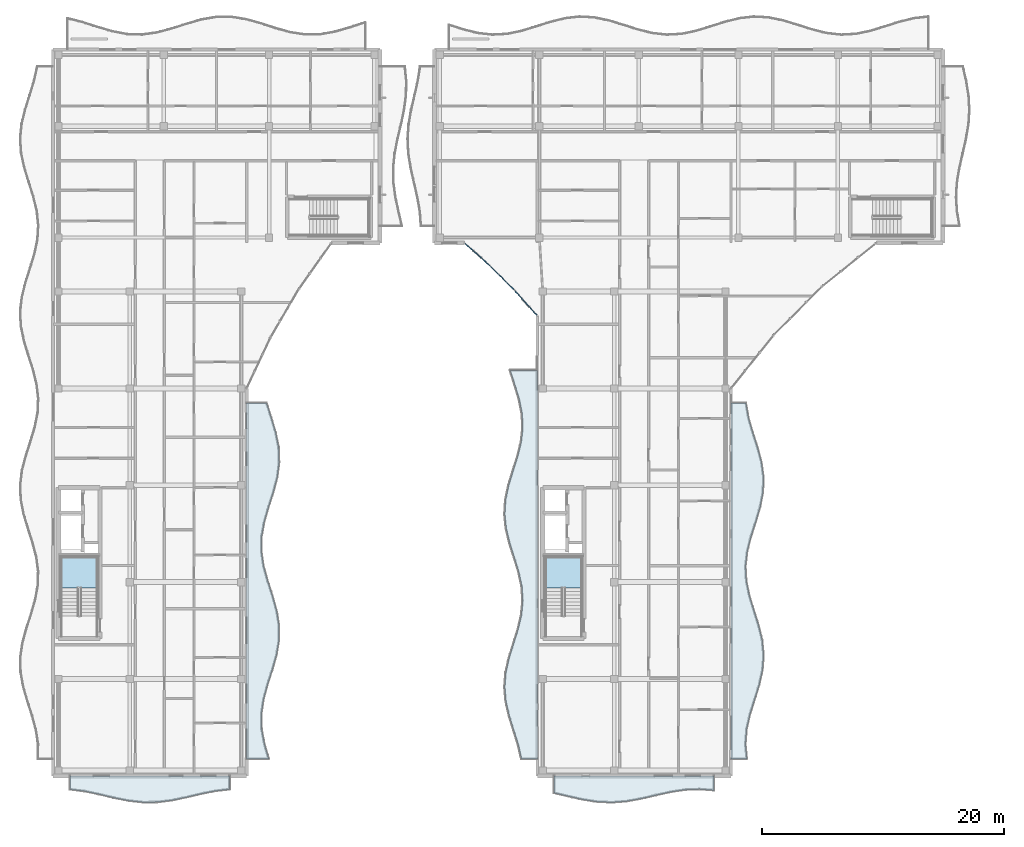
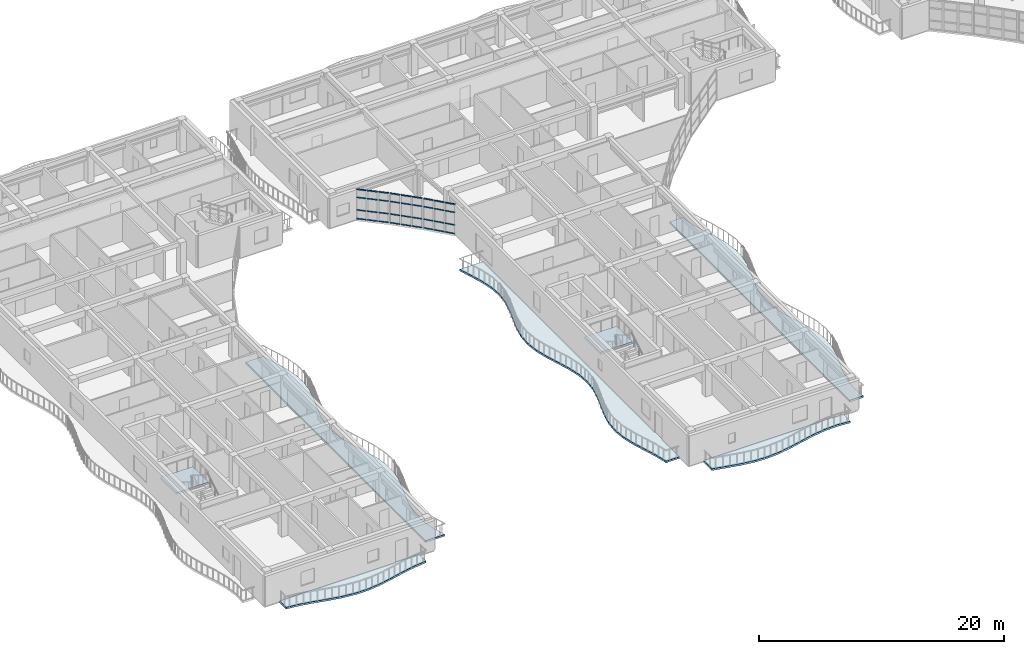
# One storey, part 23 of 76: 36 members, 7 slabs, 5 elements without a shape of their own.
"""IFC4 building model written with IfcOpenShell, lengths in metres."""

from ifc_helpers import new_model, si_unit, direction, frame, origin, origin_2d, place, context, subcontext, project, spatial, polyline, hollow_rectangle, outline, extrude, material, layer, layer_set, material_profile, profile_set, type_object, element, aggregate, save


model = new_model("IFC4")

# Units and contexts
model_context = context("Model", 3, precision=1e-05, world=origin(), true_north=direction((0.0, 1.0)))
body_context = subcontext(model_context, "Body", "Model", "MODEL_VIEW")
ifc_project = project(units=[si_unit("LENGTHUNIT", "METRE"), si_unit("AREAUNIT", "SQUARE_METRE"), si_unit("VOLUMEUNIT", "CUBIC_METRE"), si_unit("PLANEANGLEUNIT", "RADIAN"), si_unit("MASSUNIT", "GRAM", prefix="KILO")], contexts=[model_context])

# Site, building, storey
site_placement = place(None, origin())
site = spatial("IfcSite", under=ifc_project, at=site_placement, CompositionType="ELEMENT")
building_placement = place(site_placement, origin())
building = spatial("IfcBuilding", under=site, at=building_placement, Name="Keldmere Railside Commons", CompositionType="ELEMENT")
storey_placement = place(building_placement, frame((0.0, 0.0, 13.760009765625)))
storey = spatial("IfcBuildingStorey", under=building, at=storey_placement, Name="L04", CompositionType="ELEMENT", Elevation=13.760009765625)

# Curtain wall, members
ifc_material_1 = material(Name="Thermally Broken Aluminium", Category="aluminium")
ifc_layer_1 = layer(ifc_material_1, 0.159912109375, Name="Court Chord Wintergarden CW 4800x2850")
ifc_layer_set_1 = layer_set([ifc_layer_1], Name="Thermally Broken Aluminium")
curtain_wall_type_1 = type_object("IfcCurtainWallType", Name="Court Chord Wintergarden CW 4800x2850", PredefinedType="NOTDEFINED", material=ifc_layer_set_1)
curtain_wall_1_placement = place(storey_placement, origin())
curtain_wall_1 = element("IfcCurtainWall", 1, at=curtain_wall_1_placement, inside=storey, type_object=curtain_wall_type_1, Name="CW-12 CW-L04-052", PredefinedType="NOTDEFINED")
ifc_material_profile = material_profile(ifc_material_1, hollow_rectangle(XDim=0.06494140625, YDim=0.1201171875, WallThickness=0.00390625, at=origin_2d()), Name="ALU-TRAN-65x120")
ifc_profile_set = profile_set([ifc_material_profile], Name="Thermally Broken Aluminium")
member_type = type_object("IfcMemberType", Name="Unitised Curtain Wall Transom 65x120", PredefinedType="USERDEFINED", material=ifc_profile_set)
member_1_placement = place(storey_placement, frame((44.0595703125, 98.1533203125, 0.032470703125), z_axis=(-0.744569440646, 0.667545015752, 0.0), x_axis=(-0.667545015752, -0.744569440646, 0.0)))
member_1 = element("IfcMember", 2, at=member_1_placement, type_object=member_type, Name="CW-12 transom 1.1", ObjectType="TRANSOM", PredefinedType="USERDEFINED", context=body_context, shape_type="SweptSolid", body=[
    extrude(hollow_rectangle(XDim=0.06494140625, YDim=0.1201171875, WallThickness=0.00390625, at=origin_2d()), origin(), (0.0, 0.0, 1.0), 0.84619140625),
])
member_2_placement = place(storey_placement, frame((44.0595703125, 98.1533203125, 0.89990234375), z_axis=(-0.744569440646, 0.667545015752, 0.0), x_axis=(-0.667545015752, -0.744569440646, 0.0)))
member_2 = element("IfcMember", 3, at=member_2_placement, type_object=member_type, Name="CW-12 transom 1.2", ObjectType="TRANSOM", PredefinedType="USERDEFINED", context=body_context, shape_type="SweptSolid", body=[
    extrude(hollow_rectangle(XDim=0.06494140625, YDim=0.1201171875, WallThickness=0.00390625, at=origin_2d()), origin(), (0.0, 0.0, 1.0), 0.84619140625),
])
member_3_placement = place(storey_placement, frame((44.0595703125, 98.1533203125, 2.14990234375), z_axis=(-0.744569440646, 0.667545015752, 0.0), x_axis=(-0.667545015752, -0.744569440646, 0.0)))
member_3 = element("IfcMember", 4, at=member_3_placement, type_object=member_type, Name="CW-12 transom 1.3", ObjectType="TRANSOM", PredefinedType="USERDEFINED", context=body_context, shape_type="SweptSolid", body=[
    extrude(hollow_rectangle(XDim=0.06494140625, YDim=0.1201171875, WallThickness=0.00390625, at=origin_2d()), origin(), (0.0, 0.0, 1.0), 0.84619140625),
])
member_4_placement = place(storey_placement, frame((44.0595703125, 98.1533203125, 2.947509765625), z_axis=(-0.744569440646, 0.667545015752, 0.0), x_axis=(-0.667545015752, -0.744569440646, 0.0)))
member_4 = element("IfcMember", 5, at=member_4_placement, type_object=member_type, Name="CW-12 transom 1.4", ObjectType="TRANSOM", PredefinedType="USERDEFINED", context=body_context, shape_type="SweptSolid", body=[
    extrude(hollow_rectangle(XDim=0.06494140625, YDim=0.1201171875, WallThickness=0.00390625, at=origin_2d()), origin(), (0.0, 0.0, 1.0), 0.84619140625),
])
member_5_placement = place(storey_placement, frame((43.381103515625, 98.76171875, 0.032470703125), z_axis=(-0.744536109606, 0.667582190815, 0.0), x_axis=(-0.667582190815, -0.744536109606, 0.0)))
member_5 = element("IfcMember", 6, at=member_5_placement, type_object=member_type, Name="CW-12 transom 2.1", ObjectType="TRANSOM", PredefinedType="USERDEFINED", context=body_context, shape_type="SweptSolid", body=[
    extrude(hollow_rectangle(XDim=0.06494140625, YDim=0.1201171875, WallThickness=0.00390625, at=origin_2d()), origin(), (0.0, 0.0, 1.0), 0.87890625),
])
member_6_placement = place(storey_placement, frame((43.381103515625, 98.76171875, 0.89990234375), z_axis=(-0.744536109606, 0.667582190815, 0.0), x_axis=(-0.667582190815, -0.744536109606, 0.0)))
member_6 = element("IfcMember", 7, at=member_6_placement, type_object=member_type, Name="CW-12 transom 2.2", ObjectType="TRANSOM", PredefinedType="USERDEFINED", context=body_context, shape_type="SweptSolid", body=[
    extrude(hollow_rectangle(XDim=0.06494140625, YDim=0.1201171875, WallThickness=0.00390625, at=origin_2d()), origin(), (0.0, 0.0, 1.0), 0.87890625),
])
member_7_placement = place(storey_placement, frame((43.381103515625, 98.76171875, 2.14990234375), z_axis=(-0.744536109606, 0.667582190815, 0.0), x_axis=(-0.667582190815, -0.744536109606, 0.0)))
member_7 = element("IfcMember", 8, at=member_7_placement, type_object=member_type, Name="CW-12 transom 2.3", ObjectType="TRANSOM", PredefinedType="USERDEFINED", context=body_context, shape_type="SweptSolid", body=[
    extrude(hollow_rectangle(XDim=0.06494140625, YDim=0.1201171875, WallThickness=0.00390625, at=origin_2d()), origin(), (0.0, 0.0, 1.0), 0.87890625),
])
member_8_placement = place(storey_placement, frame((43.381103515625, 98.76171875, 2.947509765625), z_axis=(-0.744536109606, 0.667582190815, 0.0), x_axis=(-0.667582190815, -0.744536109606, 0.0)))
member_8 = element("IfcMember", 9, at=member_8_placement, type_object=member_type, Name="CW-12 transom 2.4", ObjectType="TRANSOM", PredefinedType="USERDEFINED", context=body_context, shape_type="SweptSolid", body=[
    extrude(hollow_rectangle(XDim=0.06494140625, YDim=0.1201171875, WallThickness=0.00390625, at=origin_2d()), origin(), (0.0, 0.0, 1.0), 0.87890625),
])
member_9_placement = place(storey_placement, frame((42.678466796875, 99.3916015625, 0.032470703125), z_axis=(-0.744569440646, 0.667545015752, 0.0), x_axis=(-0.667545015752, -0.744569440646, 0.0)))
member_9 = element("IfcMember", 10, at=member_9_placement, type_object=member_type, Name="CW-12 transom 3.1", ObjectType="TRANSOM", PredefinedType="USERDEFINED", context=body_context, shape_type="SweptSolid", body=[
    extrude(hollow_rectangle(XDim=0.06494140625, YDim=0.1201171875, WallThickness=0.00390625, at=origin_2d()), origin(), (0.0, 0.0, 1.0), 0.84619140625),
])
member_10_placement = place(storey_placement, frame((42.678466796875, 99.3916015625, 0.89990234375), z_axis=(-0.744569440646, 0.667545015752, 0.0), x_axis=(-0.667545015752, -0.744569440646, 0.0)))
member_10 = element("IfcMember", 11, at=member_10_placement, type_object=member_type, Name="CW-12 transom 3.2", ObjectType="TRANSOM", PredefinedType="USERDEFINED", context=body_context, shape_type="SweptSolid", body=[
    extrude(hollow_rectangle(XDim=0.06494140625, YDim=0.1201171875, WallThickness=0.00390625, at=origin_2d()), origin(), (0.0, 0.0, 1.0), 0.84619140625),
])
member_11_placement = place(storey_placement, frame((42.678466796875, 99.3916015625, 2.14990234375), z_axis=(-0.744569440646, 0.667545015752, 0.0), x_axis=(-0.667545015752, -0.744569440646, 0.0)))
member_11 = element("IfcMember", 12, at=member_11_placement, type_object=member_type, Name="CW-12 transom 3.3", ObjectType="TRANSOM", PredefinedType="USERDEFINED", context=body_context, shape_type="SweptSolid", body=[
    extrude(hollow_rectangle(XDim=0.06494140625, YDim=0.1201171875, WallThickness=0.00390625, at=origin_2d()), origin(), (0.0, 0.0, 1.0), 0.84619140625),
])
member_12_placement = place(storey_placement, frame((42.678466796875, 99.3916015625, 2.947509765625), z_axis=(-0.744569440646, 0.667545015752, 0.0), x_axis=(-0.667545015752, -0.744569440646, 0.0)))
member_12 = element("IfcMember", 13, at=member_12_placement, type_object=member_type, Name="CW-12 transom 3.4", ObjectType="TRANSOM", PredefinedType="USERDEFINED", context=body_context, shape_type="SweptSolid", body=[
    extrude(hollow_rectangle(XDim=0.06494140625, YDim=0.1201171875, WallThickness=0.00390625, at=origin_2d()), origin(), (0.0, 0.0, 1.0), 0.84619140625),
])
aggregate(curtain_wall_1, [member_1, member_2, member_3, member_4, member_5, member_6, member_7, member_8, member_9, member_10, member_11, member_12])

ifc_layer_2 = layer(ifc_material_1, 0.159912109375, Name="Court Chord Wintergarden CW 5400x2850")
ifc_layer_set_2 = layer_set([ifc_layer_2], Name="Thermally Broken Aluminium")
curtain_wall_type_2 = type_object("IfcCurtainWallType", Name="Court Chord Wintergarden CW 5400x2850", PredefinedType="NOTDEFINED", material=ifc_layer_set_2)
curtain_wall_2_placement = place(storey_placement, origin())
curtain_wall_2 = element("IfcCurtainWall", 14, at=curtain_wall_2_placement, inside=storey, type_object=curtain_wall_type_2, Name="CW-13 CW-L04-053", PredefinedType="NOTDEFINED")
member_13_placement = place(storey_placement, frame((46.06396484375, 96.154052734375, 0.032470703125), z_axis=(-0.707106781187, 0.707106781187, 0.0), x_axis=(-0.707106781187, -0.707106781187, 0.0)))
member_13 = element("IfcMember", 15, at=member_13_placement, type_object=member_type, Name="CW-13 transom 1.1", ObjectType="TRANSOM", PredefinedType="USERDEFINED", context=body_context, shape_type="SweptSolid", body=[
    extrude(hollow_rectangle(XDim=0.06494140625, YDim=0.1201171875, WallThickness=0.00390625, at=origin_2d()), origin(), (0.0, 0.0, 1.0), 0.84619140625),
])
member_14_placement = place(storey_placement, frame((46.06396484375, 96.154052734375, 0.89990234375), z_axis=(-0.707106781187, 0.707106781187, 0.0), x_axis=(-0.707106781187, -0.707106781187, 0.0)))
member_14 = element("IfcMember", 16, at=member_14_placement, type_object=member_type, Name="CW-13 transom 1.2", ObjectType="TRANSOM", PredefinedType="USERDEFINED", context=body_context, shape_type="SweptSolid", body=[
    extrude(hollow_rectangle(XDim=0.06494140625, YDim=0.1201171875, WallThickness=0.00390625, at=origin_2d()), origin(), (0.0, 0.0, 1.0), 0.84619140625),
])
member_15_placement = place(storey_placement, frame((46.06396484375, 96.154052734375, 2.14990234375), z_axis=(-0.707106781187, 0.707106781187, 0.0), x_axis=(-0.707106781187, -0.707106781187, 0.0)))
member_15 = element("IfcMember", 17, at=member_15_placement, type_object=member_type, Name="CW-13 transom 1.3", ObjectType="TRANSOM", PredefinedType="USERDEFINED", context=body_context, shape_type="SweptSolid", body=[
    extrude(hollow_rectangle(XDim=0.06494140625, YDim=0.1201171875, WallThickness=0.00390625, at=origin_2d()), origin(), (0.0, 0.0, 1.0), 0.84619140625),
])
member_16_placement = place(storey_placement, frame((46.06396484375, 96.154052734375, 2.947509765625), z_axis=(-0.707106781187, 0.707106781187, 0.0), x_axis=(-0.707106781187, -0.707106781187, 0.0)))
member_16 = element("IfcMember", 18, at=member_16_placement, type_object=member_type, Name="CW-13 transom 1.4", ObjectType="TRANSOM", PredefinedType="USERDEFINED", context=body_context, shape_type="SweptSolid", body=[
    extrude(hollow_rectangle(XDim=0.06494140625, YDim=0.1201171875, WallThickness=0.00390625, at=origin_2d()), origin(), (0.0, 0.0, 1.0), 0.84619140625),
])
member_17_placement = place(storey_placement, frame((45.419677734375, 96.79833984375, 0.032470703125), z_axis=(-0.707106781187, 0.707106781187, 0.0), x_axis=(-0.707106781187, -0.707106781187, 0.0)))
member_17 = element("IfcMember", 19, at=member_17_placement, type_object=member_type, Name="CW-13 transom 2.1", ObjectType="TRANSOM", PredefinedType="USERDEFINED", context=body_context, shape_type="SweptSolid", body=[
    extrude(hollow_rectangle(XDim=0.06494140625, YDim=0.1201171875, WallThickness=0.00390625, at=origin_2d()), origin(), (0.0, 0.0, 1.0), 0.878662109375),
])
member_18_placement = place(storey_placement, frame((45.419677734375, 96.79833984375, 0.89990234375), z_axis=(-0.707106781187, 0.707106781187, 0.0), x_axis=(-0.707106781187, -0.707106781187, 0.0)))
member_18 = element("IfcMember", 20, at=member_18_placement, type_object=member_type, Name="CW-13 transom 2.2", ObjectType="TRANSOM", PredefinedType="USERDEFINED", context=body_context, shape_type="SweptSolid", body=[
    extrude(hollow_rectangle(XDim=0.06494140625, YDim=0.1201171875, WallThickness=0.00390625, at=origin_2d()), origin(), (0.0, 0.0, 1.0), 0.878662109375),
])
member_19_placement = place(storey_placement, frame((45.419677734375, 96.79833984375, 2.14990234375), z_axis=(-0.707106781187, 0.707106781187, 0.0), x_axis=(-0.707106781187, -0.707106781187, 0.0)))
member_19 = element("IfcMember", 21, at=member_19_placement, type_object=member_type, Name="CW-13 transom 2.3", ObjectType="TRANSOM", PredefinedType="USERDEFINED", context=body_context, shape_type="SweptSolid", body=[
    extrude(hollow_rectangle(XDim=0.06494140625, YDim=0.1201171875, WallThickness=0.00390625, at=origin_2d()), origin(), (0.0, 0.0, 1.0), 0.878662109375),
])
member_20_placement = place(storey_placement, frame((45.419677734375, 96.79833984375, 2.947509765625), z_axis=(-0.707106781187, 0.707106781187, 0.0), x_axis=(-0.707106781187, -0.707106781187, 0.0)))
member_20 = element("IfcMember", 22, at=member_20_placement, type_object=member_type, Name="CW-13 transom 2.4", ObjectType="TRANSOM", PredefinedType="USERDEFINED", context=body_context, shape_type="SweptSolid", body=[
    extrude(hollow_rectangle(XDim=0.06494140625, YDim=0.1201171875, WallThickness=0.00390625, at=origin_2d()), origin(), (0.0, 0.0, 1.0), 0.878662109375),
])
member_21_placement = place(storey_placement, frame((44.75244140625, 97.465576171875, 0.032470703125), z_axis=(-0.707106781187, 0.707106781187, 0.0), x_axis=(-0.707106781187, -0.707106781187, 0.0)))
member_21 = element("IfcMember", 23, at=member_21_placement, type_object=member_type, Name="CW-13 transom 3.1", ObjectType="TRANSOM", PredefinedType="USERDEFINED", context=body_context, shape_type="SweptSolid", body=[
    extrude(hollow_rectangle(XDim=0.06494140625, YDim=0.1201171875, WallThickness=0.00390625, at=origin_2d()), origin(), (0.0, 0.0, 1.0), 0.84619140625),
])
member_22_placement = place(storey_placement, frame((44.75244140625, 97.465576171875, 0.89990234375), z_axis=(-0.707106781187, 0.707106781187, 0.0), x_axis=(-0.707106781187, -0.707106781187, 0.0)))
member_22 = element("IfcMember", 24, at=member_22_placement, type_object=member_type, Name="CW-13 transom 3.2", ObjectType="TRANSOM", PredefinedType="USERDEFINED", context=body_context, shape_type="SweptSolid", body=[
    extrude(hollow_rectangle(XDim=0.06494140625, YDim=0.1201171875, WallThickness=0.00390625, at=origin_2d()), origin(), (0.0, 0.0, 1.0), 0.84619140625),
])
member_23_placement = place(storey_placement, frame((44.75244140625, 97.465576171875, 2.14990234375), z_axis=(-0.707106781187, 0.707106781187, 0.0), x_axis=(-0.707106781187, -0.707106781187, 0.0)))
member_23 = element("IfcMember", 25, at=member_23_placement, type_object=member_type, Name="CW-13 transom 3.3", ObjectType="TRANSOM", PredefinedType="USERDEFINED", context=body_context, shape_type="SweptSolid", body=[
    extrude(hollow_rectangle(XDim=0.06494140625, YDim=0.1201171875, WallThickness=0.00390625, at=origin_2d()), origin(), (0.0, 0.0, 1.0), 0.84619140625),
])
member_24_placement = place(storey_placement, frame((44.75244140625, 97.465576171875, 2.947509765625), z_axis=(-0.707106781187, 0.707106781187, 0.0), x_axis=(-0.707106781187, -0.707106781187, 0.0)))
member_24 = element("IfcMember", 26, at=member_24_placement, type_object=member_type, Name="CW-13 transom 3.4", ObjectType="TRANSOM", PredefinedType="USERDEFINED", context=body_context, shape_type="SweptSolid", body=[
    extrude(hollow_rectangle(XDim=0.06494140625, YDim=0.1201171875, WallThickness=0.00390625, at=origin_2d()), origin(), (0.0, 0.0, 1.0), 0.84619140625),
])
aggregate(curtain_wall_2, [member_13, member_14, member_15, member_16, member_17, member_18, member_19, member_20, member_21, member_22, member_23, member_24])

curtain_wall_3_placement = place(storey_placement, origin())
curtain_wall_3 = element("IfcCurtainWall", 27, at=curtain_wall_3_placement, inside=storey, type_object=curtain_wall_type_1, Name="CW-12 CW-L04-054", PredefinedType="NOTDEFINED")
member_25_placement = place(storey_placement, frame((47.95654296875, 94.04833984375, 0.032470703125), z_axis=(-0.667545015752, 0.744569440646, 0.0), x_axis=(-0.744569440646, -0.667545015752, 0.0)))
member_25 = element("IfcMember", 28, at=member_25_placement, type_object=member_type, Name="CW-12 transom 1.1", ObjectType="TRANSOM", PredefinedType="USERDEFINED", context=body_context, shape_type="SweptSolid", body=[
    extrude(hollow_rectangle(XDim=0.06494140625, YDim=0.1201171875, WallThickness=0.00390625, at=origin_2d()), origin(), (0.0, 0.0, 1.0), 0.84619140625),
])
member_26_placement = place(storey_placement, frame((47.95654296875, 94.04833984375, 0.89990234375), z_axis=(-0.667545015752, 0.744569440646, 0.0), x_axis=(-0.744569440646, -0.667545015752, 0.0)))
member_26 = element("IfcMember", 29, at=member_26_placement, type_object=member_type, Name="CW-12 transom 1.2", ObjectType="TRANSOM", PredefinedType="USERDEFINED", context=body_context, shape_type="SweptSolid", body=[
    extrude(hollow_rectangle(XDim=0.06494140625, YDim=0.1201171875, WallThickness=0.00390625, at=origin_2d()), origin(), (0.0, 0.0, 1.0), 0.84619140625),
])
member_27_placement = place(storey_placement, frame((47.95654296875, 94.04833984375, 2.14990234375), z_axis=(-0.667545015752, 0.744569440646, 0.0), x_axis=(-0.744569440646, -0.667545015752, 0.0)))
member_27 = element("IfcMember", 30, at=member_27_placement, type_object=member_type, Name="CW-12 transom 1.3", ObjectType="TRANSOM", PredefinedType="USERDEFINED", context=body_context, shape_type="SweptSolid", body=[
    extrude(hollow_rectangle(XDim=0.06494140625, YDim=0.1201171875, WallThickness=0.00390625, at=origin_2d()), origin(), (0.0, 0.0, 1.0), 0.84619140625),
])
member_28_placement = place(storey_placement, frame((47.95654296875, 94.04833984375, 2.947509765625), z_axis=(-0.667545015752, 0.744569440646, 0.0), x_axis=(-0.744569440646, -0.667545015752, 0.0)))
member_28 = element("IfcMember", 31, at=member_28_placement, type_object=member_type, Name="CW-12 transom 1.4", ObjectType="TRANSOM", PredefinedType="USERDEFINED", context=body_context, shape_type="SweptSolid", body=[
    extrude(hollow_rectangle(XDim=0.06494140625, YDim=0.1201171875, WallThickness=0.00390625, at=origin_2d()), origin(), (0.0, 0.0, 1.0), 0.84619140625),
])
member_29_placement = place(storey_placement, frame((47.348388671875, 94.726806640625, 0.032470703125), z_axis=(-0.667582190815, 0.744536109606, 0.0), x_axis=(-0.744536109606, -0.667582190815, 0.0)))
member_29 = element("IfcMember", 32, at=member_29_placement, type_object=member_type, Name="CW-12 transom 2.1", ObjectType="TRANSOM", PredefinedType="USERDEFINED", context=body_context, shape_type="SweptSolid", body=[
    extrude(hollow_rectangle(XDim=0.06494140625, YDim=0.1201171875, WallThickness=0.00390625, at=origin_2d()), origin(), (0.0, 0.0, 1.0), 0.87890625),
])
member_30_placement = place(storey_placement, frame((47.348388671875, 94.726806640625, 0.89990234375), z_axis=(-0.667582190815, 0.744536109606, 0.0), x_axis=(-0.744536109606, -0.667582190815, 0.0)))
member_30 = element("IfcMember", 33, at=member_30_placement, type_object=member_type, Name="CW-12 transom 2.2", ObjectType="TRANSOM", PredefinedType="USERDEFINED", context=body_context, shape_type="SweptSolid", body=[
    extrude(hollow_rectangle(XDim=0.06494140625, YDim=0.1201171875, WallThickness=0.00390625, at=origin_2d()), origin(), (0.0, 0.0, 1.0), 0.87890625),
])
member_31_placement = place(storey_placement, frame((47.348388671875, 94.726806640625, 2.14990234375), z_axis=(-0.667582190815, 0.744536109606, 0.0), x_axis=(-0.744536109606, -0.667582190815, 0.0)))
member_31 = element("IfcMember", 34, at=member_31_placement, type_object=member_type, Name="CW-12 transom 2.3", ObjectType="TRANSOM", PredefinedType="USERDEFINED", context=body_context, shape_type="SweptSolid", body=[
    extrude(hollow_rectangle(XDim=0.06494140625, YDim=0.1201171875, WallThickness=0.00390625, at=origin_2d()), origin(), (0.0, 0.0, 1.0), 0.87890625),
])
member_32_placement = place(storey_placement, frame((47.348388671875, 94.726806640625, 2.947509765625), z_axis=(-0.667582190815, 0.744536109606, 0.0), x_axis=(-0.744536109606, -0.667582190815, 0.0)))
member_32 = element("IfcMember", 35, at=member_32_placement, type_object=member_type, Name="CW-12 transom 2.4", ObjectType="TRANSOM", PredefinedType="USERDEFINED", context=body_context, shape_type="SweptSolid", body=[
    extrude(hollow_rectangle(XDim=0.06494140625, YDim=0.1201171875, WallThickness=0.00390625, at=origin_2d()), origin(), (0.0, 0.0, 1.0), 0.87890625),
])
member_33_placement = place(storey_placement, frame((46.71826171875, 95.429443359375, 0.032470703125), z_axis=(-0.667545015752, 0.744569440646, 0.0), x_axis=(-0.744569440646, -0.667545015752, 0.0)))
member_33 = element("IfcMember", 36, at=member_33_placement, type_object=member_type, Name="CW-12 transom 3.1", ObjectType="TRANSOM", PredefinedType="USERDEFINED", context=body_context, shape_type="SweptSolid", body=[
    extrude(hollow_rectangle(XDim=0.06494140625, YDim=0.1201171875, WallThickness=0.00390625, at=origin_2d()), origin(), (0.0, 0.0, 1.0), 0.84619140625),
])
member_34_placement = place(storey_placement, frame((46.71826171875, 95.429443359375, 0.89990234375), z_axis=(-0.667545015752, 0.744569440646, 0.0), x_axis=(-0.744569440646, -0.667545015752, 0.0)))
member_34 = element("IfcMember", 37, at=member_34_placement, type_object=member_type, Name="CW-12 transom 3.2", ObjectType="TRANSOM", PredefinedType="USERDEFINED", context=body_context, shape_type="SweptSolid", body=[
    extrude(hollow_rectangle(XDim=0.06494140625, YDim=0.1201171875, WallThickness=0.00390625, at=origin_2d()), origin(), (0.0, 0.0, 1.0), 0.84619140625),
])
member_35_placement = place(storey_placement, frame((46.71826171875, 95.429443359375, 2.14990234375), z_axis=(-0.667545015752, 0.744569440646, 0.0), x_axis=(-0.744569440646, -0.667545015752, 0.0)))
member_35 = element("IfcMember", 38, at=member_35_placement, type_object=member_type, Name="CW-12 transom 3.3", ObjectType="TRANSOM", PredefinedType="USERDEFINED", context=body_context, shape_type="SweptSolid", body=[
    extrude(hollow_rectangle(XDim=0.06494140625, YDim=0.1201171875, WallThickness=0.00390625, at=origin_2d()), origin(), (0.0, 0.0, 1.0), 0.84619140625),
])
member_36_placement = place(storey_placement, frame((46.71826171875, 95.429443359375, 2.947509765625), z_axis=(-0.667545015752, 0.744569440646, 0.0), x_axis=(-0.744569440646, -0.667545015752, 0.0)))
member_36 = element("IfcMember", 39, at=member_36_placement, type_object=member_type, Name="CW-12 transom 3.4", ObjectType="TRANSOM", PredefinedType="USERDEFINED", context=body_context, shape_type="SweptSolid", body=[
    extrude(hollow_rectangle(XDim=0.06494140625, YDim=0.1201171875, WallThickness=0.00390625, at=origin_2d()), origin(), (0.0, 0.0, 1.0), 0.84619140625),
])
aggregate(curtain_wall_3, [member_25, member_26, member_27, member_28, member_29, member_30, member_31, member_32, member_33, member_34, member_35, member_36])

# Stair, slab
ifc_material_2 = material(Name="Concrete H-30 (C30/37)", Category="concrete")
stair_type = type_object("IfcStairType", Name="Residential Core Dogleg Stair 1450", PredefinedType="HALF_TURN_STAIR", material=ifc_material_2)
stair_1_placement = place(storey_placement, origin())
stair_1 = element("IfcStair", 40, at=stair_1_placement, inside=storey, type_object=stair_type, Name="L04 Block D Primary Escape Stair 1", PredefinedType="HALF_TURN_STAIR")
ifc_layer_3 = layer(ifc_material_2, 0.199951171875, Name="Enclosed Stair Landing Slab 200")
ifc_layer_set_3 = layer_set([ifc_layer_3], Name="Concrete H-30 (C30/37)")
slab_type_1 = type_object("IfcSlabType", Name="Enclosed Stair Landing Slab 200", PredefinedType="LANDING", material=ifc_layer_set_3)
slab_1_placement = place(storey_placement, frame((0.0, 0.0, 1.39990234375)))
slab_1 = element("IfcSlab", 41, at=slab_1_placement, type_object=slab_type_1, Name="ST-D1 landing 1", PredefinedType="LANDING", context=body_context, shape_type="SweptSolid", body=[
    extrude(outline(polyline([(11.699951171875, 71.52001953125), (11.699951171875, 74.10009765625), (8.64990234375, 74.10009765625), (8.64990234375, 71.52001953125), (11.699951171875, 71.52001953125)])), origin(), (0.0, 0.0, 1.0), 0.2001953125),
])
aggregate(stair_1, [slab_1])

stair_2_placement = place(storey_placement, origin())
stair_2 = element("IfcStair", 42, at=stair_2_placement, inside=storey, type_object=stair_type, Name="L04 Block C Primary Escape Stair 1", PredefinedType="HALF_TURN_STAIR")
slab_2_placement = place(storey_placement, frame((0.0, 0.0, 1.39990234375)))
slab_2 = element("IfcSlab", 43, at=slab_2_placement, type_object=slab_type_1, Name="ST-C1 landing 1", PredefinedType="LANDING", context=body_context, shape_type="SweptSolid", body=[
    extrude(outline(polyline([(51.699951171875, 71.52001953125), (51.699951171875, 74.10009765625), (48.64990234375, 74.10009765625), (48.64990234375, 71.52001953125), (51.699951171875, 71.52001953125)])), origin(), (0.0, 0.0, 1.0), 0.2001953125),
])
aggregate(stair_2, [slab_2])

# Slabs
ifc_material_3 = material(Name="White Precast Concrete H-35 (C35/45)", Category="concrete")
ifc_layer_4 = layer(ifc_material_3, 0.179931640625, Name="Sinusoidal Wave Balcony Slab 180")
ifc_layer_set_4 = layer_set([ifc_layer_4], Name="White Precast Concrete H-35 (C35/45)")
slab_type_2 = type_object("IfcSlabType", Name="Sinusoidal Wave Balcony Slab 180", PredefinedType="FLOOR", material=ifc_layer_set_4)
slab_3_placement = place(storey_placement, frame((0.0, 0.0, -0.179931640625)))
element("IfcSlab", 44, at=slab_3_placement, inside=storey, type_object=slab_type_2, Name="WB-1 D L04 CE Wave Balcony", PredefinedType="FLOOR", context=body_context, shape_type="SweptSolid", body=[
    extrude(outline(polyline([(25.831787109375, 57.39990234375), (25.470947265625, 58.625), (25.243896484375, 59.85009765625), (25.213623046875, 61.074951171875), (25.388916015625, 62.300048828125), (25.720703125, 63.52490234375), (26.116455078125, 64.75), (26.4658203125, 65.97509765625), (26.671142578125, 67.199951171875), (26.67529296875, 68.425048828125), (26.477294921875, 69.64990234375), (26.132080078125, 70.875), (25.736083984375, 72.10009765625), (25.399658203125, 73.324951171875), (25.216796875, 74.550048828125), (25.238525390625, 75.77490234375), (25.458740234375, 77.0), (25.81591796875, 78.22509765625), (26.21044921875, 79.449951171875), (26.532470703125, 80.675048828125), (26.69189453125, 81.89990234375), (26.644287109375, 83.125), (26.4033203125, 84.35009765625), (26.035400390625, 85.574951171875), (25.64404296875, 86.800048828125), (24.0, 86.800048828125), (24.0, 85.574951171875), (24.0, 84.35009765625), (24.0, 83.125), (24.0, 81.89990234375), (24.0, 80.675048828125), (24.0, 79.449951171875), (24.0, 78.22509765625), (24.0, 77.0), (24.0, 75.77490234375), (24.0, 74.550048828125), (24.0, 73.324951171875), (24.0, 72.10009765625), (24.0, 70.875), (24.0, 69.64990234375), (24.0, 68.425048828125), (24.0, 67.199951171875), (24.0, 65.97509765625), (24.0, 64.75), (24.0, 63.52490234375), (24.0, 62.300048828125), (24.0, 61.074951171875), (24.0, 59.85009765625), (24.0, 58.625), (24.0, 57.39990234375), (25.831787109375, 57.39990234375)])), origin(), (0.0, 0.0, 1.0), 0.179931640625),
])
slab_4_placement = place(storey_placement, frame((0.0, 0.0, -0.179931640625)))
element("IfcSlab", 45, at=slab_4_placement, inside=storey, type_object=slab_type_2, Name="WB-1 D L04 S Wave Balcony", PredefinedType="FLOOR", context=body_context, shape_type="SweptSolid", body=[
    extrude(outline(polyline([(9.39990234375, 54.87744140625), (10.60009765625, 54.728759765625), (11.800048828125, 54.478515625), (13.0, 54.194091796875), (14.199951171875, 53.951171875), (15.39990234375, 53.815185546875), (16.60009765625, 53.822509765625), (17.800048828125, 53.97119140625), (19.0, 54.221435546875), (20.199951171875, 54.506103515625), (21.39990234375, 54.748779296875), (22.60009765625, 54.884765625), (22.60009765625, 56.0), (21.39990234375, 56.0), (20.199951171875, 56.0), (19.0, 56.0), (17.800048828125, 56.0), (16.60009765625, 56.0), (15.39990234375, 56.0), (14.199951171875, 56.0), (13.0, 56.0), (11.800048828125, 56.0), (10.60009765625, 56.0), (9.39990234375, 56.0), (9.39990234375, 54.87744140625)])), origin(), (0.0, 0.0, 1.0), 0.179931640625),
])
slab_5_placement = place(storey_placement, frame((0.0, 0.0, -0.179931640625)))
element("IfcSlab", 46, at=slab_5_placement, inside=storey, type_object=slab_type_2, Name="WB-1 C L04 CE Wave Balcony", PredefinedType="FLOOR", context=body_context, shape_type="SweptSolid", body=[
    extrude(outline(polyline([(65.3154296875, 57.39990234375), (65.2001953125, 58.625), (65.294189453125, 59.85009765625), (65.571044921875, 61.074951171875), (65.95361328125, 62.300048828125), (66.335205078125, 63.52490234375), (66.609375, 64.75), (66.699462890625, 65.97509765625), (66.58056640625, 67.199951171875), (66.285888671875, 68.425048828125), (65.897216796875, 69.64990234375), (65.523681640625, 70.875), (65.268798828125, 72.10009765625), (65.2041015625, 73.324951171875), (65.347412109375, 74.550048828125), (65.65869140625, 75.77490234375), (66.051513671875, 77.0), (66.416015625, 78.22509765625), (66.650390625, 79.449951171875), (66.689453125, 80.675048828125), (66.522216796875, 81.89990234375), (66.1953125, 83.125), (65.800048828125, 84.35009765625), (65.44677734375, 85.574951171875), (65.233642578125, 86.800048828125), (64.0, 86.800048828125), (64.0, 85.574951171875), (64.0, 84.35009765625), (64.0, 83.125), (64.0, 81.89990234375), (64.0, 80.675048828125), (64.0, 79.449951171875), (64.0, 78.22509765625), (64.0, 77.0), (64.0, 75.77490234375), (64.0, 74.550048828125), (64.0, 73.324951171875), (64.0, 72.10009765625), (64.0, 70.875), (64.0, 69.64990234375), (64.0, 68.425048828125), (64.0, 67.199951171875), (64.0, 65.97509765625), (64.0, 64.75), (64.0, 63.52490234375), (64.0, 62.300048828125), (64.0, 61.074951171875), (64.0, 59.85009765625), (64.0, 58.625), (64.0, 57.39990234375), (65.3154296875, 57.39990234375)])), origin(), (0.0, 0.0, 1.0), 0.179931640625),
])
slab_6_placement = place(storey_placement, frame((0.0, 0.0, -0.179931640625)))
element("IfcSlab", 47, at=slab_6_placement, inside=storey, type_object=slab_type_2, Name="WB-1 C L04 CW Wave Balcony", PredefinedType="FLOOR", context=body_context, shape_type="SweptSolid", body=[
    extrude(outline(polyline([(48.0, 57.39990234375), (48.0, 58.5888671875), (48.0, 59.77783203125), (48.0, 60.966796875), (48.0, 62.155517578125), (48.0, 63.344482421875), (48.0, 64.533203125), (48.0, 65.72216796875), (48.0, 66.9111328125), (48.0, 68.10009765625), (48.0, 69.288818359375), (48.0, 70.477783203125), (48.0, 71.666748046875), (48.0, 72.855712890625), (48.0, 74.04443359375), (48.0, 75.2333984375), (48.0, 76.422119140625), (48.0, 77.611083984375), (48.0, 78.800048828125), (48.0, 79.989013671875), (48.0, 81.177734375), (48.0, 82.36669921875), (48.0, 83.5556640625), (48.0, 84.744384765625), (48.0, 85.933349609375), (48.0, 87.122314453125), (48.0, 88.31103515625), (48.0, 89.5), (45.75341796875, 89.5), (46.1337890625, 88.31103515625), (46.4921875, 87.122314453125), (46.734375, 85.933349609375), (46.79638671875, 84.744384765625), (46.662109375, 83.5556640625), (46.36669921875, 82.36669921875), (45.98779296875, 81.177734375), (45.62548828125, 79.989013671875), (45.374755859375, 78.800048828125), (45.3017578125, 77.611083984375), (45.425537109375, 76.422119140625), (45.7138671875, 75.2333984375), (46.09033203125, 74.04443359375), (46.456298828125, 72.855712890625), (46.71533203125, 71.666748046875), (46.79931640625, 70.477783203125), (46.686279296875, 69.288818359375), (46.405517578125, 68.10009765625), (46.031494140625, 66.9111328125), (45.662109375, 65.72216796875), (45.39501953125, 64.533203125), (45.300048828125, 63.344482421875), (45.402587890625, 62.155517578125), (45.67529296875, 60.966796875), (46.046875, 59.77783203125), (46.4189453125, 58.5888671875), (46.694091796875, 57.39990234375), (48.0, 57.39990234375)])), origin(), (0.0, 0.0, 1.0), 0.179931640625),
])
slab_7_placement = place(storey_placement, frame((0.0, 0.0, -0.179931640625)))
element("IfcSlab", 48, at=slab_7_placement, inside=storey, type_object=slab_type_2, Name="WB-1 C L04 S Wave Balcony", PredefinedType="FLOOR", context=body_context, shape_type="SweptSolid", body=[
    extrude(outline(polyline([(49.39990234375, 54.580810546875), (50.60009765625, 54.30029296875), (51.800048828125, 54.033203125), (53.0, 53.850830078125), (54.199951171875, 53.80224609375), (55.39990234375, 53.900390625), (56.60009765625, 54.119140625), (57.800048828125, 54.399658203125), (59.0, 54.6669921875), (60.199951171875, 54.84912109375), (61.39990234375, 54.897705078125), (62.60009765625, 54.799560546875), (62.60009765625, 56.0), (61.39990234375, 56.0), (60.199951171875, 56.0), (59.0, 56.0), (57.800048828125, 56.0), (56.60009765625, 56.0), (55.39990234375, 56.0), (54.199951171875, 56.0), (53.0, 56.0), (51.800048828125, 56.0), (50.60009765625, 56.0), (49.39990234375, 56.0), (49.39990234375, 54.580810546875)])), origin(), (0.0, 0.0, 1.0), 0.179931640625),
])

save(model, "model.ifc")
